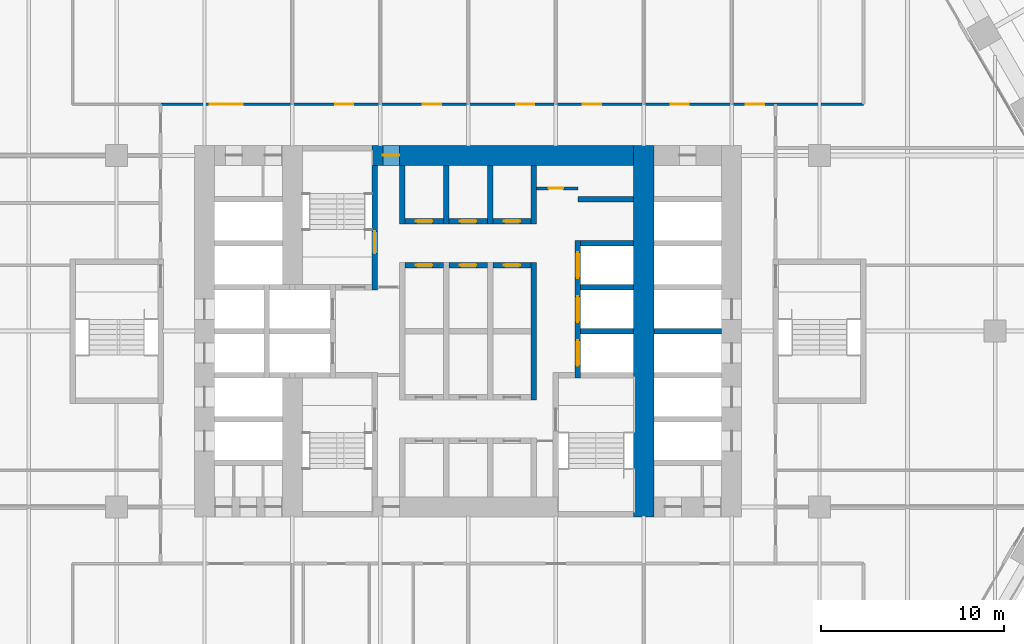
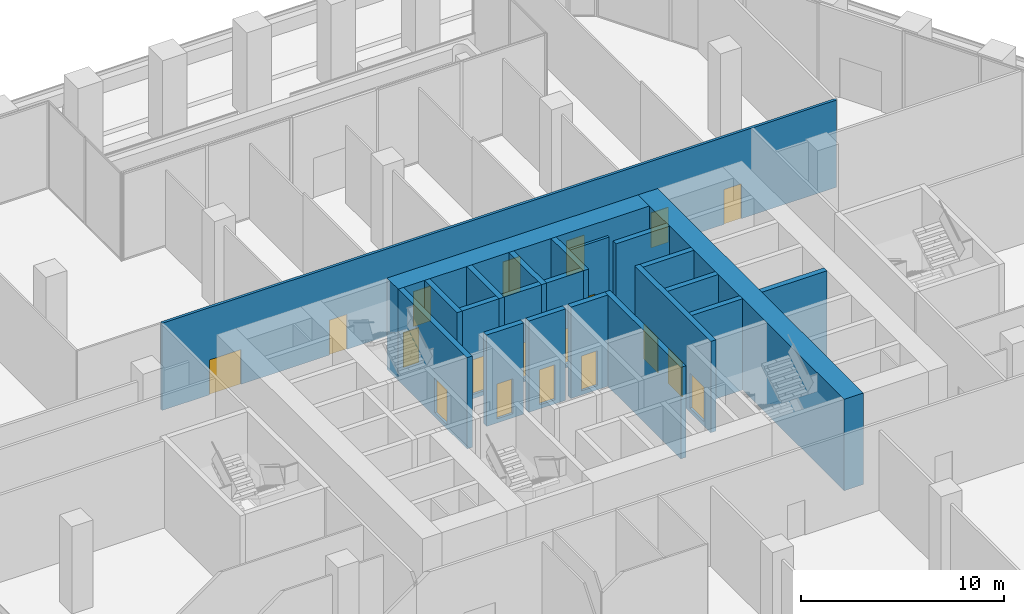
# One storey, part 22 of 30: 22 walls, 19 doors, 19 openings.
"""IFC4 building model written with IfcOpenShell, lengths in metres."""

import ifcopenshell
import ifcopenshell.guid

model = None  # the IFC model being written
_history = None  # IfcOwnerHistory: only IFC2X3 demands one
_inside = {}  # id of a spatial element -> (the spatial element, [elements in it])
_under = {}  # id of a project, library or spatial element -> (it, [spatial elements below it])
_declared = {}  # id of a project -> (the project, [libraries it declares])
_typed = {}  # id of a type object -> (the type object, [elements of that type])
_made_of = {}  # id of a material, layer set ... -> (it, [elements and type objects made of it])


def new_model(schema):
    """Start an empty IFC model of exactly this schema.

    Asked for "IFC4X3", IfcOpenShell would pick the latest addendum, in which some entities
    have other attributes; the version numbers below select the first issue.
    IFC2X3 requires an IfcOwnerHistory on every rooted entity: one is made here for all.
    """
    global model, _history
    if schema == "IFC4X3":
        model = ifcopenshell.file(schema_version=(4, 3, 0, 0))
    else:
        model = ifcopenshell.file(schema=schema)
    _inside.clear()
    _under.clear()
    _declared.clear()
    _typed.clear()
    _made_of.clear()
    _history = None
    if model.schema == "IFC2X3":
        org = make("IfcOrganization", Name="unknown")
        user = make(
            "IfcPersonAndOrganization",
            ThePerson=make("IfcPerson", FamilyName="unknown"),
            TheOrganization=org,
        )
        app = make(
            "IfcApplication",
            ApplicationDeveloper=org,
            Version="unknown",
            ApplicationFullName="unknown",
            ApplicationIdentifier="unknown",
        )
        _history = make(
            "IfcOwnerHistory",
            OwningUser=user,
            OwningApplication=app,
            ChangeAction="ADDED",
            CreationDate=0,
        )
    return model


def make(cls, **values):
    """One entity of the class cls with the attributes given. An attribute that is None is left unset."""
    return model.create_entity(
        cls, **{name: value for name, value in values.items() if value is not None}
    )


def rooted(cls, **values):
    """An entity with a GlobalId (a new one), such as an element, a storey or a relation."""
    return make(cls, GlobalId=ifcopenshell.guid.new(), OwnerHistory=_history, **values)


def si_unit(unit_type, name, prefix=None):
    """IfcSIUnit, for example si_unit("LENGTHUNIT", "METRE", prefix="MILLI")."""
    return make("IfcSIUnit", UnitType=unit_type, Prefix=prefix, Name=name)


def assignment(units):
    """IfcUnitAssignment: the units of a project."""
    return None if units is None else make("IfcUnitAssignment", Units=units)


def point(xyz):
    """IfcCartesianPoint."""
    return None if xyz is None else make("IfcCartesianPoint", Coordinates=xyz)


def direction(xyz):
    """IfcDirection."""
    return None if xyz is None else make("IfcDirection", DirectionRatios=xyz)


def frame(location, z_axis=None, x_axis=None):
    """IfcAxis2Placement3D, a coordinate frame: its origin and axes. An axis left out is left unset."""
    return make(
        "IfcAxis2Placement3D",
        Location=point(location),
        Axis=direction(z_axis),
        RefDirection=direction(x_axis),
    )


def frame_2d(location, x_axis=None):
    """IfcAxis2Placement2D, a coordinate frame in the plane: its origin and x axis."""
    return make(
        "IfcAxis2Placement2D", Location=point(location), RefDirection=direction(x_axis)
    )


def origin():
    """The frame at (0, 0, 0) with its axes left unset."""
    return frame((0.0, 0.0, 0.0))


def place(relative_to, where):
    """IfcLocalPlacement: puts the frame where relative to a parent placement (None: the world)."""
    return make(
        "IfcLocalPlacement", PlacementRelTo=relative_to, RelativePlacement=where
    )


def context(
    kind, dimensions, precision=None, world=None, true_north=None, identifier=None
):
    """IfcGeometricRepresentationContext, for example the 3D "Model" context."""
    return make(
        "IfcGeometricRepresentationContext",
        ContextIdentifier=identifier,
        ContextType=kind,
        CoordinateSpaceDimension=dimensions,
        Precision=precision,
        WorldCoordinateSystem=world,
        TrueNorth=true_north,
    )


def subcontext(parent, identifier, kind, view, scale=None):
    """IfcGeometricRepresentationSubContext, for example "Body" below "Model"."""
    return make(
        "IfcGeometricRepresentationSubContext",
        ContextIdentifier=identifier,
        ContextType=kind,
        ParentContext=parent,
        TargetScale=scale,
        TargetView=view,
    )


def project(units=None, contexts=None):
    """IfcProject with its units and contexts."""
    return rooted(
        "IfcProject",
        Name="project",
        RepresentationContexts=contexts,
        UnitsInContext=assignment(units),
    )


def spatial(cls, under=None, at=None, **own):
    """A site, building, storey or space (cls), placed at a placement, below another one or the project."""
    s = rooted(cls, ObjectPlacement=at, **own)
    if under is not None:
        _under.setdefault(under.id(), (under, []))[1].append(s)
    return s


def profile(cls, at=None, kind="AREA", **sizes):
    """A parametric profile (cls). Its sizes go by their IFC names, for example OverallWidth=200.0."""
    return make(cls, ProfileType=kind, Position=at, **sizes)


def rectangle(**sizes):
    """IfcRectangleProfileDef."""
    return profile("IfcRectangleProfileDef", **sizes)


def extrude(swept, where, along, depth):
    """IfcExtrudedAreaSolid: the profile swept, set in the frame where, extruded along a direction by depth."""
    return make(
        "IfcExtrudedAreaSolid",
        SweptArea=swept,
        Position=where,
        ExtrudedDirection=direction(along),
        Depth=depth,
    )


def shape(context_of_items, identifier, shape_type, items):
    """IfcShapeRepresentation: the items that make up one representation, for example the "Body"."""
    return make(
        "IfcShapeRepresentation",
        ContextOfItems=context_of_items,
        RepresentationIdentifier=identifier,
        RepresentationType=shape_type,
        Items=items,
    )


def material(Name=None, Category=None):
    """IfcMaterial."""
    return make("IfcMaterial", Name=Name, Category=Category)


def layer(
    of_material, thickness, ventilated=None, Name=None, Category=None, Priority=None
):
    """IfcMaterialLayer: one layer of a wall or slab, of a material (None: an air gap)."""
    return make(
        "IfcMaterialLayer",
        Material=of_material,
        LayerThickness=thickness,
        IsVentilated=ventilated,
        Name=Name,
        Category=Category,
        Priority=Priority,
    )


def layer_set(layers, Name=None):
    """IfcMaterialLayerSet."""
    return make("IfcMaterialLayerSet", MaterialLayers=layers, LayerSetName=Name)


def made_of(thing, what):
    """Note that an element or type object is made of a material, layer set ...; save() writes the relation."""
    if what is not None:
        _made_of.setdefault(what.id(), (what, []))[1].append(thing)
    return thing


def type_object(cls, material=None, **own):
    """A type object (cls), such as IfcWallType, which elements share."""
    return made_of(rooted(cls, **own), material)


def element(
    cls,
    number,
    at=None,
    inside=None,
    cuts=None,
    type_object=None,
    material=None,
    context=None,
    identifier="Body",
    shape_type=None,
    held_by="IfcProductDefinitionShape",
    body=None,
    shapes=None,
    **own,
):
    """One element of the class cls, such as IfcWall. Its Tag is "e" and its number.

    at: its placement. inside: the storey or other place that contains it. cuts: it is an
    opening in that element (IfcRelVoidsElement). A single representation is given by context,
    identifier, shape_type and body (its items); several are given by shapes. held_by: the class
    of the entity that holds the representations. save() writes the other relations.
    """
    e = rooted(cls, Tag="e%d" % number, ObjectPlacement=at, **own)
    if body is not None:
        shapes = [shape(context, identifier, shape_type, body)]
    if shapes is not None:
        e.Representation = make(held_by, Representations=shapes)
    if inside is not None:
        _inside.setdefault(inside.id(), (inside, []))[1].append(e)
    if cuts is not None:
        rooted(
            "IfcRelVoidsElement", RelatingBuildingElement=cuts, RelatedOpeningElement=e
        )
    if type_object is not None:
        _typed.setdefault(type_object.id(), (type_object, []))[1].append(e)
    return made_of(e, material)


def fill(opening, filler):
    """IfcRelFillsElement: the door or window that sits in an opening."""
    return rooted(
        "IfcRelFillsElement",
        RelatingOpeningElement=opening,
        RelatedBuildingElement=filler,
    )


def aggregate(whole, parts):
    """IfcRelAggregates: a whole, such as a stair, and the parts it consists of."""
    return rooted("IfcRelAggregates", RelatingObject=whole, RelatedObjects=parts)


def save(model, path):
    """Write the relations noted so far, then the file.

    IfcRelAggregates (storeys below a building ...), IfcRelContainedInSpatialStructure (elements
    in a storey), IfcRelDefinesByType, IfcRelAssociatesMaterial and IfcRelDeclares: one each for
    every whole, place, type object, material and project.
    """
    for whole, parts in _under.values():
        aggregate(whole, parts)
    for where, things in _inside.values():
        rooted(
            "IfcRelContainedInSpatialStructure",
            RelatedElements=things,
            RelatingStructure=where,
        )
    for kind, things in _typed.values():
        rooted("IfcRelDefinesByType", RelatedObjects=things, RelatingType=kind)
    for what, things in _made_of.values():
        rooted("IfcRelAssociatesMaterial", RelatedObjects=things, RelatingMaterial=what)
    for by, libraries in _declared.values():
        rooted("IfcRelDeclares", RelatingContext=by, RelatedDefinitions=libraries)
    model.write(path)


model = new_model("IFC4")

# Units and contexts
model_context = context("Model", 3, precision=1e-05, world=origin(), true_north=direction((0.0, 1.0)))
body_context = subcontext(model_context, "Body", "Model", "MODEL_VIEW")
ifc_project = project(units=[si_unit("LENGTHUNIT", "METRE"), si_unit("AREAUNIT", "SQUARE_METRE"), si_unit("VOLUMEUNIT", "CUBIC_METRE"), si_unit("PLANEANGLEUNIT", "RADIAN"), si_unit("MASSUNIT", "GRAM", prefix="KILO")], contexts=[model_context])

# Site, building, storey
site_placement = place(None, origin())
site = spatial("IfcSite", under=ifc_project, at=site_placement, CompositionType="ELEMENT")
building_placement = place(site_placement, origin())
building = spatial("IfcBuilding", under=site, at=building_placement, Name="Kolab Exchange Tower", CompositionType="ELEMENT")
storey_placement = place(building_placement, frame((0.0, 0.0, 38.89990234375)))
storey = spatial("IfcBuildingStorey", under=building, at=storey_placement, Name="L07", CompositionType="ELEMENT", Elevation=38.89990234375)

# Wall, opening, door
ifc_material_1 = material(Name="Concrete C80/95", Category="concrete")
ifc_layer_1 = layer(ifc_material_1, 1.10009765625)
ifc_layer_set_1 = layer_set([ifc_layer_1], Name="Concrete C80/95")
wall_type_1 = type_object("IfcWallType", Name="CORE WALL 1100 C80/95", PredefinedType="SHEAR", material=ifc_layer_set_1)
wall_1_placement = place(storey_placement, frame((-5.25, 9.60009765625, -0.25), z_axis=(0.0, 0.0, 1.0), x_axis=(1.0, 0.0, 0.0)))
wall_1 = element("IfcWall", 1, at=wall_1_placement, inside=storey, type_object=wall_type_1, Name="wall/L07/core/052", PredefinedType="SHEAR", context=body_context, shape_type="SweptSolid", body=[
    extrude(rectangle(XDim=14.300048828125, YDim=1.10009765625, at=frame_2d((7.14990234375, 0.0))), origin(), (0.0, 0.0, 1.0), 5.5),
])
opening_1_placement = place(wall_1_placement, frame((0.60009765625, 0.0, 0.25)))
opening_1 = element("IfcOpeningElement", 2, at=opening_1_placement, cuts=wall_1, Name="Opening D6-107", PredefinedType="OPENING", context=body_context, shape_type="SweptSolid", body=[
    extrude(rectangle(XDim=0.89990234375, YDim=2.10009765625, at=frame_2d((0.449951171875, 1.050048828125))), frame((0.0, 0.56005859375, 0.0), z_axis=(0.0, -1.0, 0.0), x_axis=(1.0, 0.0, 0.0)), (0.0, 0.0, 1.0), 1.1201171875),
])
ifc_material_2 = material(Name="Steel S235", Category="steel")
door_type_1 = type_object("IfcDoorType", Name="CORE DOOR 900 EI 120", OperationType="SINGLE_SWING_LEFT", PredefinedType="DOOR", material=ifc_material_2)
door_1_placement = place(opening_1_placement, frame((0.89990234375, 0.0, 0.0), z_axis=(0.0, 0.0, 1.0), x_axis=(-1.0, 0.0, 0.0)))
door_1 = element("IfcDoor", 3, at=door_1_placement, inside=storey, type_object=door_type_1, Name="Core lobby door", OperationType="SINGLE_SWING_RIGHT", OverallHeight=2.10009765625, OverallWidth=0.89990234375, PredefinedType="DOOR", context=body_context, shape_type="SweptSolid", body=[
    extrude(rectangle(XDim=0.89990234375, YDim=2.10009765625, at=frame_2d((0.449951171875, 1.050048828125))), frame((0.0, 0.02490234375, 0.0), z_axis=(0.0, -1.0, 0.0), x_axis=(1.0, 0.0, 0.0)), (0.0, 0.0, 1.0), 0.050048828125),
])
fill(opening_1, door_1)

# Walls
wall_2_placement = place(storey_placement, frame((9.60009765625, -10.14990234375, -0.25), z_axis=(0.0, 0.0, 1.0), x_axis=(0.0, 1.0, 0.0)))
element("IfcWall", 4, at=wall_2_placement, inside=storey, type_object=wall_type_1, Name="wall/L07/core/080", PredefinedType="SHEAR", context=body_context, shape_type="SweptSolid", body=[
    extrude(rectangle(XDim=20.2998046875, YDim=1.10009765625, at=frame_2d((10.14990234375, 0.0))), origin(), (0.0, 0.0, 1.0), 5.5),
])
ifc_material_3 = material(Name="Concrete C50/60", Category="concrete")
ifc_layer_2 = layer(ifc_material_3, 0.300048828125)
ifc_layer_set_2 = layer_set([ifc_layer_2], Name="Concrete C50/60")
wall_type_2 = type_object("IfcWallType", Name="LIFT SHAFT WALL 300 C50/60", PredefinedType="STANDARD", material=ifc_layer_set_2)
wall_3_placement = place(storey_placement, frame((6.14990234375, 0.0, -0.25), z_axis=(0.0, 0.0, 1.0), x_axis=(1.0, 0.0, 0.0)))
element("IfcWall", 5, at=wall_3_placement, inside=storey, type_object=wall_type_2, Name="wall/L07/core/029", PredefinedType="STANDARD", context=body_context, shape_type="SweptSolid", body=[
    extrude(rectangle(XDim=2.900146484375, YDim=0.300048828125, at=frame_2d((1.4501953125, 0.0))), origin(), (0.0, 0.0, 1.0), 5.5),
])
wall_4_placement = place(storey_placement, frame((10.14990234375, 0.0, -0.25), z_axis=(0.0, 0.0, 1.0), x_axis=(1.0, 0.0, 0.0)))
element("IfcWall", 6, at=wall_4_placement, inside=storey, type_object=wall_type_2, Name="wall/L07/core/030", PredefinedType="STANDARD", context=body_context, shape_type="SweptSolid", body=[
    extrude(rectangle(XDim=3.7001953125, YDim=0.300048828125, at=frame_2d((1.85009765625, 0.0))), origin(), (0.0, 0.0, 1.0), 5.5),
])
wall_5_placement = place(storey_placement, frame((6.14990234375, 2.39990234375, -0.25), z_axis=(0.0, 0.0, 1.0), x_axis=(1.0, 0.0, 0.0)))
element("IfcWall", 7, at=wall_5_placement, inside=storey, type_object=wall_type_2, Name="wall/L07/core/035", PredefinedType="STANDARD", context=body_context, shape_type="SweptSolid", body=[
    extrude(rectangle(XDim=2.900146484375, YDim=0.300048828125, at=frame_2d((1.4501953125, 0.0))), origin(), (0.0, 0.0, 1.0), 5.5),
])

# Wall, opening, door
wall_6_placement = place(storey_placement, frame((-3.449951171875, 3.60009765625, -0.25), z_axis=(0.0, 0.0, 1.0), x_axis=(1.0, 0.0, 0.0)))
wall_6 = element("IfcWall", 8, at=wall_6_placement, inside=storey, type_object=wall_type_2, Name="wall/L07/core/037", PredefinedType="STANDARD", context=body_context, shape_type="SweptSolid", body=[
    extrude(rectangle(XDim=2.099853515625, YDim=0.300048828125, at=frame_2d((1.0498046875, 0.0))), origin(), (0.0, 0.0, 1.0), 5.5),
])
opening_2_placement = place(wall_6_placement, frame((0.60009765625, 0.0, 0.25)))
opening_2 = element("IfcOpeningElement", 9, at=opening_2_placement, cuts=wall_6, Name="Opening D6-089", PredefinedType="OPENING", context=body_context, shape_type="SweptSolid", body=[
    extrude(rectangle(XDim=0.89990234375, YDim=2.10009765625, at=frame_2d((0.449951171875, 1.050048828125))), frame((0.0, 0.16015625, 0.0), z_axis=(0.0, -1.0, 0.0), x_axis=(1.0, 0.0, 0.0)), (0.0, 0.0, 1.0), 0.320068359375),
])
door_2_placement = place(opening_2_placement, frame((0.89990234375, 0.0, 0.0), z_axis=(0.0, 0.0, 1.0), x_axis=(-1.0, 0.0, 0.0)))
door_2 = element("IfcDoor", 10, at=door_2_placement, inside=storey, type_object=door_type_1, Name="Service room door", OperationType="SINGLE_SWING_LEFT", OverallHeight=2.10009765625, OverallWidth=0.89990234375, PredefinedType="DOOR", context=body_context, shape_type="SweptSolid", body=[
    extrude(rectangle(XDim=0.89990234375, YDim=2.10009765625, at=frame_2d((0.449951171875, 1.050048828125))), frame((0.0, 0.02490234375, 0.0), z_axis=(0.0, -1.0, 0.0), x_axis=(1.0, 0.0, 0.0)), (0.0, 0.0, 1.0), 0.050048828125),
])
fill(opening_2, door_2)

wall_7_placement = place(storey_placement, frame((-1.050048828125, 3.60009765625, -0.25), z_axis=(0.0, 0.0, 1.0), x_axis=(1.0, 0.0, 0.0)))
wall_7 = element("IfcWall", 11, at=wall_7_placement, inside=storey, type_object=wall_type_2, Name="wall/L07/core/038", PredefinedType="STANDARD", context=body_context, shape_type="SweptSolid", body=[
    extrude(rectangle(XDim=2.10009765625, YDim=0.300048828125, at=frame_2d((1.050048828125, 0.0))), origin(), (0.0, 0.0, 1.0), 5.5),
])
opening_3_placement = place(wall_7_placement, frame((0.60009765625, 0.0, 0.25)))
opening_3 = element("IfcOpeningElement", 12, at=opening_3_placement, cuts=wall_7, Name="Opening D6-088", PredefinedType="OPENING", context=body_context, shape_type="SweptSolid", body=[
    extrude(rectangle(XDim=0.89990234375, YDim=2.10009765625, at=frame_2d((0.449951171875, 1.050048828125))), frame((0.0, 0.16015625, 0.0), z_axis=(0.0, -1.0, 0.0), x_axis=(1.0, 0.0, 0.0)), (0.0, 0.0, 1.0), 0.320068359375),
])
door_3_placement = place(opening_3_placement, frame((0.89990234375, 0.0, 0.0), z_axis=(0.0, 0.0, 1.0), x_axis=(-1.0, 0.0, 0.0)))
door_3 = element("IfcDoor", 13, at=door_3_placement, inside=storey, type_object=door_type_1, Name="Service room door", OperationType="SINGLE_SWING_LEFT", OverallHeight=2.10009765625, OverallWidth=0.89990234375, PredefinedType="DOOR", context=body_context, shape_type="SweptSolid", body=[
    extrude(rectangle(XDim=0.89990234375, YDim=2.10009765625, at=frame_2d((0.449951171875, 1.050048828125))), frame((0.0, 0.02490234375, 0.0), z_axis=(0.0, -1.0, 0.0), x_axis=(1.0, 0.0, 0.0)), (0.0, 0.0, 1.0), 0.050048828125),
])
fill(opening_3, door_3)

wall_8_placement = place(storey_placement, frame((1.35009765625, 3.60009765625, -0.25), z_axis=(0.0, 0.0, 1.0), x_axis=(1.0, 0.0, 0.0)))
wall_8 = element("IfcWall", 14, at=wall_8_placement, inside=storey, type_object=wall_type_2, Name="wall/L07/core/039", PredefinedType="STANDARD", context=body_context, shape_type="SweptSolid", body=[
    extrude(rectangle(XDim=2.099853515625, YDim=0.300048828125, at=frame_2d((1.0498046875, 0.0))), origin(), (0.0, 0.0, 1.0), 5.5),
])
opening_4_placement = place(wall_8_placement, frame((0.60009765625, 0.0, 0.25)))
opening_4 = element("IfcOpeningElement", 15, at=opening_4_placement, cuts=wall_8, Name="Opening D6-087", PredefinedType="OPENING", context=body_context, shape_type="SweptSolid", body=[
    extrude(rectangle(XDim=0.89990234375, YDim=2.10009765625, at=frame_2d((0.449951171875, 1.050048828125))), frame((0.0, 0.16015625, 0.0), z_axis=(0.0, -1.0, 0.0), x_axis=(1.0, 0.0, 0.0)), (0.0, 0.0, 1.0), 0.320068359375),
])
door_4_placement = place(opening_4_placement, frame((0.89990234375, 0.0, 0.0), z_axis=(0.0, 0.0, 1.0), x_axis=(-1.0, 0.0, 0.0)))
door_4 = element("IfcDoor", 16, at=door_4_placement, inside=storey, type_object=door_type_1, Name="Service room door", OperationType="SINGLE_SWING_RIGHT", OverallHeight=2.10009765625, OverallWidth=0.89990234375, PredefinedType="DOOR", context=body_context, shape_type="SweptSolid", body=[
    extrude(rectangle(XDim=0.89990234375, YDim=2.10009765625, at=frame_2d((0.449951171875, 1.050048828125))), frame((0.0, 0.02490234375, 0.0), z_axis=(0.0, -1.0, 0.0), x_axis=(1.0, 0.0, 0.0)), (0.0, 0.0, 1.0), 0.050048828125),
])
fill(opening_4, door_4)

# Wall
wall_9_placement = place(storey_placement, frame((6.14990234375, 4.800048828125, -0.25), z_axis=(0.0, 0.0, 1.0), x_axis=(1.0, 0.0, 0.0)))
element("IfcWall", 17, at=wall_9_placement, inside=storey, type_object=wall_type_2, Name="wall/L07/core/043", PredefinedType="STANDARD", context=body_context, shape_type="SweptSolid", body=[
    extrude(rectangle(XDim=2.900146484375, YDim=0.300048828125, at=frame_2d((1.4501953125, 0.0))), origin(), (0.0, 0.0, 1.0), 5.5),
])

# Wall, opening, door
wall_10_placement = place(storey_placement, frame((-3.449951171875, 6.0, -0.25), z_axis=(0.0, 0.0, 1.0), x_axis=(1.0, 0.0, 0.0)))
wall_10 = element("IfcWall", 18, at=wall_10_placement, inside=storey, type_object=wall_type_2, Name="wall/L07/core/045", PredefinedType="STANDARD", context=body_context, shape_type="SweptSolid", body=[
    extrude(rectangle(XDim=2.099853515625, YDim=0.300048828125, at=frame_2d((1.0498046875, 0.0))), origin(), (0.0, 0.0, 1.0), 5.5),
])
opening_5_placement = place(wall_10_placement, frame((0.60009765625, 0.0, 0.25)))
opening_5 = element("IfcOpeningElement", 19, at=opening_5_placement, cuts=wall_10, Name="Opening D6-086", PredefinedType="OPENING", context=body_context, shape_type="SweptSolid", body=[
    extrude(rectangle(XDim=0.89990234375, YDim=2.10009765625, at=frame_2d((0.449951171875, 1.050048828125))), frame((0.0, 0.16015625, 0.0), z_axis=(0.0, -1.0, 0.0), x_axis=(1.0, 0.0, 0.0)), (0.0, 0.0, 1.0), 0.320068359375),
])
door_5_placement = place(opening_5_placement, origin())
door_5 = element("IfcDoor", 20, at=door_5_placement, inside=storey, type_object=door_type_1, Name="Service room door", OperationType="SINGLE_SWING_LEFT", OverallHeight=2.10009765625, OverallWidth=0.89990234375, PredefinedType="DOOR", context=body_context, shape_type="SweptSolid", body=[
    extrude(rectangle(XDim=0.89990234375, YDim=2.10009765625, at=frame_2d((0.449951171875, 1.050048828125))), frame((0.0, 0.02490234375, 0.0), z_axis=(0.0, -1.0, 0.0), x_axis=(1.0, 0.0, 0.0)), (0.0, 0.0, 1.0), 0.050048828125),
])
fill(opening_5, door_5)

wall_11_placement = place(storey_placement, frame((-1.050048828125, 6.0, -0.25), z_axis=(0.0, 0.0, 1.0), x_axis=(1.0, 0.0, 0.0)))
wall_11 = element("IfcWall", 21, at=wall_11_placement, inside=storey, type_object=wall_type_2, Name="wall/L07/core/046", PredefinedType="STANDARD", context=body_context, shape_type="SweptSolid", body=[
    extrude(rectangle(XDim=2.10009765625, YDim=0.300048828125, at=frame_2d((1.050048828125, 0.0))), origin(), (0.0, 0.0, 1.0), 5.5),
])
opening_6_placement = place(wall_11_placement, frame((0.60009765625, 0.0, 0.25)))
opening_6 = element("IfcOpeningElement", 22, at=opening_6_placement, cuts=wall_11, Name="Opening D6-105", PredefinedType="OPENING", context=body_context, shape_type="SweptSolid", body=[
    extrude(rectangle(XDim=0.89990234375, YDim=2.10009765625, at=frame_2d((0.449951171875, 1.050048828125))), frame((0.0, 0.16015625, 0.0), z_axis=(0.0, -1.0, 0.0), x_axis=(1.0, 0.0, 0.0)), (0.0, 0.0, 1.0), 0.320068359375),
])
door_6_placement = place(opening_6_placement, origin())
door_6 = element("IfcDoor", 23, at=door_6_placement, inside=storey, type_object=door_type_1, Name="Service room door", OperationType="SINGLE_SWING_LEFT", OverallHeight=2.10009765625, OverallWidth=0.89990234375, PredefinedType="DOOR", context=body_context, shape_type="SweptSolid", body=[
    extrude(rectangle(XDim=0.89990234375, YDim=2.10009765625, at=frame_2d((0.449951171875, 1.050048828125))), frame((0.0, 0.02490234375, 0.0), z_axis=(0.0, -1.0, 0.0), x_axis=(1.0, 0.0, 0.0)), (0.0, 0.0, 1.0), 0.050048828125),
])
fill(opening_6, door_6)

wall_12_placement = place(storey_placement, frame((1.35009765625, 6.0, -0.25), z_axis=(0.0, 0.0, 1.0), x_axis=(1.0, 0.0, 0.0)))
wall_12 = element("IfcWall", 24, at=wall_12_placement, inside=storey, type_object=wall_type_2, Name="wall/L07/core/047", PredefinedType="STANDARD", context=body_context, shape_type="SweptSolid", body=[
    extrude(rectangle(XDim=2.099853515625, YDim=0.300048828125, at=frame_2d((1.0498046875, 0.0))), origin(), (0.0, 0.0, 1.0), 5.5),
])
opening_7_placement = place(wall_12_placement, frame((0.60009765625, 0.0, 0.25)))
opening_7 = element("IfcOpeningElement", 25, at=opening_7_placement, cuts=wall_12, Name="Opening D6-084", PredefinedType="OPENING", context=body_context, shape_type="SweptSolid", body=[
    extrude(rectangle(XDim=0.89990234375, YDim=2.10009765625, at=frame_2d((0.449951171875, 1.050048828125))), frame((0.0, 0.16015625, 0.0), z_axis=(0.0, -1.0, 0.0), x_axis=(1.0, 0.0, 0.0)), (0.0, 0.0, 1.0), 0.320068359375),
])
door_7_placement = place(opening_7_placement, origin())
door_7 = element("IfcDoor", 26, at=door_7_placement, inside=storey, type_object=door_type_1, Name="Service room door", OperationType="SINGLE_SWING_RIGHT", OverallHeight=2.10009765625, OverallWidth=0.89990234375, PredefinedType="DOOR", context=body_context, shape_type="SweptSolid", body=[
    extrude(rectangle(XDim=0.89990234375, YDim=2.10009765625, at=frame_2d((0.449951171875, 1.050048828125))), frame((0.0, 0.02490234375, 0.0), z_axis=(0.0, -1.0, 0.0), x_axis=(1.0, 0.0, 0.0)), (0.0, 0.0, 1.0), 0.050048828125),
])
fill(opening_7, door_7)

# Walls
wall_13_placement = place(storey_placement, frame((6.0, 7.199951171875, -0.25), z_axis=(0.0, 0.0, 1.0), x_axis=(1.0, 0.0, 0.0)))
element("IfcWall", 27, at=wall_13_placement, inside=storey, type_object=wall_type_2, Name="wall/L07/core/049", PredefinedType="STANDARD", context=body_context, shape_type="SweptSolid", body=[
    extrude(rectangle(XDim=3.050048828125, YDim=0.300048828125, at=frame_2d((1.52490234375, 0.0))), origin(), (0.0, 0.0, 1.0), 5.5),
])
for number, where, z_axis, x_axis, name in (
    (28, (-3.60009765625, 5.85009765625, -0.25), (0.0, 0.0, 1.0), (0.0, 1.0, 0.0), "wall/L07/core/068"),
    (29, (-1.199951171875, 5.85009765625, -0.25), (0.0, 0.0, 1.0), (0.0, 1.0, 0.0), "wall/L07/core/071"),
    (30, (1.199951171875, 5.85009765625, -0.25), (0.0, 0.0, 1.0), (0.0, 1.0, 0.0), "wall/L07/core/074"),
):
    element("IfcWall", number, at=place(storey_placement, frame(where, z_axis=z_axis, x_axis=x_axis)), inside=storey, type_object=wall_type_2, Name=name, PredefinedType="STANDARD", context=body_context, shape_type="SweptSolid", body=[
        extrude(rectangle(XDim=3.199951171875, YDim=0.300048828125, at=frame_2d((1.60009765625, 0.0))), origin(), (0.0, 0.0, 1.0), 5.5),
    ])
wall_14_placement = place(storey_placement, frame((3.60009765625, -3.75, -0.25), z_axis=(0.0, 0.0, 1.0), x_axis=(0.0, 1.0, 0.0)))
element("IfcWall", 31, at=wall_14_placement, inside=storey, type_object=wall_type_2, Name="wall/L07/core/076", PredefinedType="STANDARD", context=body_context, shape_type="SweptSolid", body=[
    extrude(rectangle(XDim=7.5, YDim=0.300048828125, at=frame_2d((3.75, 0.0))), origin(), (0.0, 0.0, 1.0), 5.5),
])
wall_15_placement = place(storey_placement, frame((3.60009765625, 5.85009765625, -0.25), z_axis=(0.0, 0.0, 1.0), x_axis=(0.0, 1.0, 0.0)))
element("IfcWall", 32, at=wall_15_placement, inside=storey, type_object=wall_type_2, Name="wall/L07/core/077", PredefinedType="STANDARD", context=body_context, shape_type="SweptSolid", body=[
    extrude(rectangle(XDim=3.199951171875, YDim=0.300048828125, at=frame_2d((1.60009765625, 0.0))), origin(), (0.0, 0.0, 1.0), 5.5),
])

# Wall, openings, doors
wall_16_placement = place(storey_placement, frame((6.0, -2.550048828125, -0.25), z_axis=(0.0, 0.0, 1.0), x_axis=(0.0, 1.0, 0.0)))
wall_16 = element("IfcWall", 33, at=wall_16_placement, inside=storey, type_object=wall_type_2, Name="wall/L07/core/079", PredefinedType="STANDARD", context=body_context, shape_type="SweptSolid", body=[
    extrude(rectangle(XDim=7.5, YDim=0.300048828125, at=frame_2d((3.75, 0.0))), origin(), (0.0, 0.0, 1.0), 5.5),
])
opening_8_placement = place(wall_16_placement, frame((0.64990234375, 0.0, 0.25)))
opening_8 = element("IfcOpeningElement", 34, at=opening_8_placement, cuts=wall_16, Name="Opening LD3-013", PredefinedType="OPENING", context=body_context, shape_type="SweptSolid", body=[
    extrude(rectangle(XDim=1.39990234375, YDim=2.10009765625, at=frame_2d((0.699951171875, 1.050048828125))), frame((0.0, 0.16015625, 0.0), z_axis=(0.0, -1.0, 0.0), x_axis=(1.0, 0.0, 0.0)), (0.0, 0.0, 1.0), 0.320068359375),
])
opening_9_placement = place(wall_16_placement, frame((3.050048828125, 0.0, 0.25)))
opening_9 = element("IfcOpeningElement", 35, at=opening_9_placement, cuts=wall_16, Name="Opening LD3-014", PredefinedType="OPENING", context=body_context, shape_type="SweptSolid", body=[
    extrude(rectangle(XDim=1.39990234375, YDim=2.10009765625, at=frame_2d((0.699951171875, 1.050048828125))), frame((0.0, 0.16015625, 0.0), z_axis=(0.0, -1.0, 0.0), x_axis=(1.0, 0.0, 0.0)), (0.0, 0.0, 1.0), 0.320068359375),
])
opening_10_placement = place(wall_16_placement, frame((5.449951171875, 0.0, 0.25)))
opening_10 = element("IfcOpeningElement", 36, at=opening_10_placement, cuts=wall_16, Name="Opening LD3-015", PredefinedType="OPENING", context=body_context, shape_type="SweptSolid", body=[
    extrude(rectangle(XDim=1.39990234375, YDim=2.10009765625, at=frame_2d((0.699951171875, 1.050048828125))), frame((0.0, 0.16015625, 0.0), z_axis=(0.0, -1.0, 0.0), x_axis=(1.0, 0.0, 0.0)), (0.0, 0.0, 1.0), 0.320068359375),
])
ifc_material_4 = material(Name="Stainless steel 316", Category="steel")
door_type_2 = type_object("IfcDoorType", Name="LANDING DOOR 1400 SERVICE", OperationType="DOUBLE_DOOR_SLIDING", PredefinedType="DOOR", material=ifc_material_4)
door_8_placement = place(opening_8_placement, origin())
door_8 = element("IfcDoor", 37, at=door_8_placement, inside=storey, type_object=door_type_2, Name="Landing door SV1", OperationType="DOUBLE_DOOR_SLIDING", OverallHeight=2.10009765625, OverallWidth=1.39990234375, PredefinedType="DOOR", context=body_context, shape_type="SweptSolid", body=[
    extrude(rectangle(XDim=1.39990234375, YDim=2.10009765625, at=frame_2d((0.699951171875, 1.050048828125))), frame((0.0, 0.02490234375, 0.0), z_axis=(0.0, -1.0, 0.0), x_axis=(1.0, 0.0, 0.0)), (0.0, 0.0, 1.0), 0.050048828125),
])
fill(opening_8, door_8)
door_9_placement = place(opening_9_placement, origin())
door_9 = element("IfcDoor", 38, at=door_9_placement, inside=storey, type_object=door_type_2, Name="Landing door SV2", OperationType="DOUBLE_DOOR_SLIDING", OverallHeight=2.10009765625, OverallWidth=1.39990234375, PredefinedType="DOOR", context=body_context, shape_type="SweptSolid", body=[
    extrude(rectangle(XDim=1.39990234375, YDim=2.10009765625, at=frame_2d((0.699951171875, 1.050048828125))), frame((0.0, 0.02490234375, 0.0), z_axis=(0.0, -1.0, 0.0), x_axis=(1.0, 0.0, 0.0)), (0.0, 0.0, 1.0), 0.050048828125),
])
fill(opening_9, door_9)
door_10_placement = place(opening_10_placement, origin())
door_10 = element("IfcDoor", 39, at=door_10_placement, inside=storey, type_object=door_type_2, Name="Landing door SV3", OperationType="DOUBLE_DOOR_SLIDING", OverallHeight=2.10009765625, OverallWidth=1.39990234375, PredefinedType="DOOR", context=body_context, shape_type="SweptSolid", body=[
    extrude(rectangle(XDim=1.39990234375, YDim=2.10009765625, at=frame_2d((0.699951171875, 1.050048828125))), frame((0.0, 0.02490234375, 0.0), z_axis=(0.0, -1.0, 0.0), x_axis=(1.0, 0.0, 0.0)), (0.0, 0.0, 1.0), 0.050048828125),
])
fill(opening_10, door_10)

# Wall, opening, door
ifc_material_5 = material(Name="Gypsum board", Category="gypsum")
ifc_layer_3 = layer(ifc_material_5, 0.14990234375)
ifc_layer_set_3 = layer_set([ifc_layer_3], Name="Gypsum board")
wall_type_3 = type_object("IfcWallType", Name="PARTITION 150 FIRE-RATED", PredefinedType="PARTITIONING", material=ifc_layer_set_3)
wall_17_placement = place(storey_placement, frame((3.75, 7.800048828125, 0.0), z_axis=(0.0, 0.0, 1.0), x_axis=(1.0, 0.0, 0.0)))
wall_17 = element("IfcWall", 40, at=wall_17_placement, inside=storey, type_object=wall_type_3, Name="Partition 043", PredefinedType="PARTITIONING", context=body_context, shape_type="SweptSolid", body=[
    extrude(rectangle(XDim=2.25, YDim=0.14990234375, at=frame_2d((1.125, 0.0))), origin(), (0.0, 0.0, 1.0), 5.25),
])
opening_11_placement = place(wall_17_placement, frame((0.64990234375, 0.0, 0.0)))
opening_11 = element("IfcOpeningElement", 41, at=opening_11_placement, cuts=wall_17, Name="Opening D7-009", PredefinedType="OPENING", context=body_context, shape_type="SweptSolid", body=[
    extrude(rectangle(XDim=0.800048828125, YDim=2.10009765625, at=frame_2d((0.39990234375, 1.050048828125))), frame((0.0, 0.0849609375, 0.0), z_axis=(0.0, -1.0, 0.0), x_axis=(1.0, 0.0, 0.0)), (0.0, 0.0, 1.0), 0.169921875),
])
door_type_3 = type_object("IfcDoorType", Name="FLUSH DOOR 800 FD60", OperationType="SINGLE_SWING_LEFT", PredefinedType="DOOR", material=ifc_material_2)
door_11_placement = place(opening_11_placement, origin())
door_11 = element("IfcDoor", 42, at=door_11_placement, inside=storey, type_object=door_type_3, Name="Door L07-041", OperationType="SINGLE_SWING_LEFT", OverallHeight=2.10009765625, OverallWidth=0.800048828125, PredefinedType="DOOR", context=body_context, shape_type="SweptSolid", body=[
    extrude(rectangle(XDim=0.800048828125, YDim=2.10009765625, at=frame_2d((0.39990234375, 1.050048828125))), frame((0.0, 0.02490234375, 0.0), z_axis=(0.0, -1.0, 0.0), x_axis=(1.0, 0.0, 0.0)), (0.0, 0.0, 1.0), 0.050048828125),
])
fill(opening_11, door_11)

# Wall, openings, doors
wall_18_placement = place(storey_placement, frame((-16.800048828125, 12.39990234375, 0.0), z_axis=(0.0, 0.0, 1.0), x_axis=(1.0, 0.0, 0.0)))
wall_18 = element("IfcWall", 43, at=wall_18_placement, inside=storey, type_object=wall_type_3, Name="Partition 049", PredefinedType="PARTITIONING", context=body_context, shape_type="SweptSolid", body=[
    extrude(rectangle(XDim=38.400146484375, YDim=0.14990234375, at=frame_2d((19.2001953125, 0.0))), origin(), (0.0, 0.0, 1.0), 5.25),
])
opening_12_placement = place(wall_18_placement, frame((2.699951171875, 0.0, 0.0)))
opening_12 = element("IfcOpeningElement", 44, at=opening_12_placement, cuts=wall_18, Name="Opening D2-020", PredefinedType="OPENING", context=body_context, shape_type="SweptSolid", body=[
    extrude(rectangle(XDim=1.800048828125, YDim=2.10009765625, at=frame_2d((0.89990234375, 1.050048828125))), frame((0.0, 0.0849609375, 0.0), z_axis=(0.0, -1.0, 0.0), x_axis=(1.0, 0.0, 0.0)), (0.0, 0.0, 1.0), 0.169921875),
])
opening_13_placement = place(wall_18_placement, frame((9.534912109375, 0.0, 0.0)))
opening_13 = element("IfcOpeningElement", 45, at=opening_13_placement, cuts=wall_18, Name="Opening D1-089", PredefinedType="OPENING", context=body_context, shape_type="SweptSolid", body=[
    extrude(rectangle(XDim=1.0, YDim=2.10009765625, at=frame_2d((0.5, 1.050048828125))), frame((0.0, 0.0849609375, 0.0), z_axis=(0.0, -1.0, 0.0), x_axis=(1.0, 0.0, 0.0)), (0.0, 0.0, 1.0), 0.169921875),
])
opening_14_placement = place(wall_18_placement, frame((14.3349609375, 0.0, 0.0)))
opening_14 = element("IfcOpeningElement", 46, at=opening_14_placement, cuts=wall_18, Name="Opening D1-090", PredefinedType="OPENING", context=body_context, shape_type="SweptSolid", body=[
    extrude(rectangle(XDim=1.0, YDim=2.10009765625, at=frame_2d((0.5, 1.050048828125))), frame((0.0, 0.0849609375, 0.0), z_axis=(0.0, -1.0, 0.0), x_axis=(1.0, 0.0, 0.0)), (0.0, 0.0, 1.0), 0.169921875),
])
opening_15_placement = place(wall_18_placement, frame((19.425048828125, 0.0, 0.0)))
opening_15 = element("IfcOpeningElement", 47, at=opening_15_placement, cuts=wall_18, Name="Opening D1-091", PredefinedType="OPENING", context=body_context, shape_type="SweptSolid", body=[
    extrude(rectangle(XDim=1.0, YDim=2.10009765625, at=frame_2d((0.5, 1.050048828125))), frame((0.0, 0.0849609375, 0.0), z_axis=(0.0, -1.0, 0.0), x_axis=(1.0, 0.0, 0.0)), (0.0, 0.0, 1.0), 0.169921875),
])
opening_16_placement = place(wall_18_placement, frame((23.06494140625, 0.0, 0.0)))
opening_16 = element("IfcOpeningElement", 48, at=opening_16_placement, cuts=wall_18, Name="Opening D1-092", PredefinedType="OPENING", context=body_context, shape_type="SweptSolid", body=[
    extrude(rectangle(XDim=1.0, YDim=2.10009765625, at=frame_2d((0.5, 1.050048828125))), frame((0.0, 0.0849609375, 0.0), z_axis=(0.0, -1.0, 0.0), x_axis=(1.0, 0.0, 0.0)), (0.0, 0.0, 1.0), 0.169921875),
])
opening_17_placement = place(wall_18_placement, frame((27.864990234375, 0.0, 0.0)))
opening_17 = element("IfcOpeningElement", 49, at=opening_17_placement, cuts=wall_18, Name="Opening D1-093", PredefinedType="OPENING", context=body_context, shape_type="SweptSolid", body=[
    extrude(rectangle(XDim=1.0, YDim=2.10009765625, at=frame_2d((0.5, 1.050048828125))), frame((0.0, 0.0849609375, 0.0), z_axis=(0.0, -1.0, 0.0), x_axis=(1.0, 0.0, 0.0)), (0.0, 0.0, 1.0), 0.169921875),
])
opening_18_placement = place(wall_18_placement, frame((31.97509765625, 0.0, 0.0)))
opening_18 = element("IfcOpeningElement", 50, at=opening_18_placement, cuts=wall_18, Name="Opening D1-094", PredefinedType="OPENING", context=body_context, shape_type="SweptSolid", body=[
    extrude(rectangle(XDim=1.0, YDim=2.10009765625, at=frame_2d((0.5, 1.050048828125))), frame((0.0, 0.0849609375, 0.0), z_axis=(0.0, -1.0, 0.0), x_axis=(1.0, 0.0, 0.0)), (0.0, 0.0, 1.0), 0.169921875),
])
door_type_4 = type_object("IfcDoorType", Name="DOUBLE DOOR 1800 FD60", OperationType="DOUBLE_DOOR_SINGLE_SWING", PredefinedType="DOOR", material=ifc_material_2)
door_12_placement = place(opening_12_placement, origin())
door_12 = element("IfcDoor", 51, at=door_12_placement, inside=storey, type_object=door_type_4, Name="Door L07-049", OperationType="SINGLE_SWING_RIGHT", OverallHeight=2.10009765625, OverallWidth=1.800048828125, PredefinedType="DOOR", context=body_context, shape_type="SweptSolid", body=[
    extrude(rectangle(XDim=1.800048828125, YDim=2.10009765625, at=frame_2d((0.89990234375, 1.050048828125))), frame((0.0, 0.02490234375, 0.0), z_axis=(0.0, -1.0, 0.0), x_axis=(1.0, 0.0, 0.0)), (0.0, 0.0, 1.0), 0.050048828125),
])
fill(opening_12, door_12)
door_type_5 = type_object("IfcDoorType", Name="FLUSH DOOR 1000 FD60", OperationType="SINGLE_SWING_LEFT", PredefinedType="DOOR", material=ifc_material_2)
door_13_placement = place(opening_13_placement, origin())
door_13 = element("IfcDoor", 52, at=door_13_placement, inside=storey, type_object=door_type_5, Name="Door L07-050", OperationType="SINGLE_SWING_RIGHT", OverallHeight=2.10009765625, OverallWidth=1.0, PredefinedType="DOOR", context=body_context, shape_type="SweptSolid", body=[
    extrude(rectangle(XDim=1.0, YDim=2.10009765625, at=frame_2d((0.5, 1.050048828125))), frame((0.0, 0.02490234375, 0.0), z_axis=(0.0, -1.0, 0.0), x_axis=(1.0, 0.0, 0.0)), (0.0, 0.0, 1.0), 0.050048828125),
])
fill(opening_13, door_13)
door_14_placement = place(opening_14_placement, origin())
door_14 = element("IfcDoor", 53, at=door_14_placement, inside=storey, type_object=door_type_5, Name="Door L07-051", OperationType="SINGLE_SWING_RIGHT", OverallHeight=2.10009765625, OverallWidth=1.0, PredefinedType="DOOR", context=body_context, shape_type="SweptSolid", body=[
    extrude(rectangle(XDim=1.0, YDim=2.10009765625, at=frame_2d((0.5, 1.050048828125))), frame((0.0, 0.02490234375, 0.0), z_axis=(0.0, -1.0, 0.0), x_axis=(1.0, 0.0, 0.0)), (0.0, 0.0, 1.0), 0.050048828125),
])
fill(opening_14, door_14)
door_15_placement = place(opening_15_placement, origin())
door_15 = element("IfcDoor", 54, at=door_15_placement, inside=storey, type_object=door_type_5, Name="Door L07-052", OperationType="SINGLE_SWING_RIGHT", OverallHeight=2.10009765625, OverallWidth=1.0, PredefinedType="DOOR", context=body_context, shape_type="SweptSolid", body=[
    extrude(rectangle(XDim=1.0, YDim=2.10009765625, at=frame_2d((0.5, 1.050048828125))), frame((0.0, 0.02490234375, 0.0), z_axis=(0.0, -1.0, 0.0), x_axis=(1.0, 0.0, 0.0)), (0.0, 0.0, 1.0), 0.050048828125),
])
fill(opening_15, door_15)
door_16_placement = place(opening_16_placement, origin())
door_16 = element("IfcDoor", 55, at=door_16_placement, inside=storey, type_object=door_type_5, Name="Door L07-053", OperationType="SINGLE_SWING_LEFT", OverallHeight=2.10009765625, OverallWidth=1.0, PredefinedType="DOOR", context=body_context, shape_type="SweptSolid", body=[
    extrude(rectangle(XDim=1.0, YDim=2.10009765625, at=frame_2d((0.5, 1.050048828125))), frame((0.0, 0.02490234375, 0.0), z_axis=(0.0, -1.0, 0.0), x_axis=(1.0, 0.0, 0.0)), (0.0, 0.0, 1.0), 0.050048828125),
])
fill(opening_16, door_16)
door_17_placement = place(opening_17_placement, origin())
door_17 = element("IfcDoor", 56, at=door_17_placement, inside=storey, type_object=door_type_5, Name="Door L07-054", OperationType="SINGLE_SWING_LEFT", OverallHeight=2.10009765625, OverallWidth=1.0, PredefinedType="DOOR", context=body_context, shape_type="SweptSolid", body=[
    extrude(rectangle(XDim=1.0, YDim=2.10009765625, at=frame_2d((0.5, 1.050048828125))), frame((0.0, 0.02490234375, 0.0), z_axis=(0.0, -1.0, 0.0), x_axis=(1.0, 0.0, 0.0)), (0.0, 0.0, 1.0), 0.050048828125),
])
fill(opening_17, door_17)
door_18_placement = place(opening_18_placement, origin())
door_18 = element("IfcDoor", 57, at=door_18_placement, inside=storey, type_object=door_type_5, Name="Door L07-055", OperationType="SINGLE_SWING_LEFT", OverallHeight=2.10009765625, OverallWidth=1.0, PredefinedType="DOOR", context=body_context, shape_type="SweptSolid", body=[
    extrude(rectangle(XDim=1.0, YDim=2.10009765625, at=frame_2d((0.5, 1.050048828125))), frame((0.0, 0.02490234375, 0.0), z_axis=(0.0, -1.0, 0.0), x_axis=(1.0, 0.0, 0.0)), (0.0, 0.0, 1.0), 0.050048828125),
])
fill(opening_18, door_18)

# Wall, opening, door
ifc_layer_4 = layer(ifc_material_3, 0.300048828125)
ifc_layer_set_4 = layer_set([ifc_layer_4], Name="Concrete C50/60")
wall_type_4 = type_object("IfcWallType", Name="STAIR ENCLOSURE WALL 300 C50/60", PredefinedType="STANDARD", material=ifc_layer_set_4)
wall_19_placement = place(storey_placement, frame((-5.10009765625, 2.25, -0.25), z_axis=(0.0, 0.0, 1.0), x_axis=(0.0, 1.0, 0.0)))
wall_19 = element("IfcWall", 58, at=wall_19_placement, inside=storey, type_object=wall_type_4, Name="wall/L07/core/065", PredefinedType="STANDARD", context=body_context, shape_type="SweptSolid", body=[
    extrude(rectangle(XDim=6.800048828125, YDim=0.300048828125, at=frame_2d((3.39990234375, 0.0))), origin(), (0.0, 0.0, 1.0), 5.5),
])
opening_19_placement = place(wall_19_placement, frame((2.0, 0.0, 0.25)))
opening_19 = element("IfcOpeningElement", 59, at=opening_19_placement, cuts=wall_19, Name="Opening D4-020", PredefinedType="OPENING", context=body_context, shape_type="SweptSolid", body=[
    extrude(rectangle(XDim=1.199951171875, YDim=2.10009765625, at=frame_2d((0.60009765625, 1.050048828125))), frame((0.0, 0.16015625, 0.0), z_axis=(0.0, -1.0, 0.0), x_axis=(1.0, 0.0, 0.0)), (0.0, 0.0, 1.0), 0.320068359375),
])
door_type_6 = type_object("IfcDoorType", Name="STAIR DOOR 1200 EI 120", OperationType="SINGLE_SWING_LEFT", PredefinedType="DOOR", material=ifc_material_2)
door_19_placement = place(opening_19_placement, origin())
door_19 = element("IfcDoor", 60, at=door_19_placement, inside=storey, type_object=door_type_6, Name="Stair 1 door", OperationType="SINGLE_SWING_LEFT", OverallHeight=2.10009765625, OverallWidth=1.199951171875, PredefinedType="DOOR", context=body_context, shape_type="SweptSolid", body=[
    extrude(rectangle(XDim=1.199951171875, YDim=2.10009765625, at=frame_2d((0.60009765625, 1.050048828125))), frame((0.0, 0.02490234375, 0.0), z_axis=(0.0, -1.0, 0.0), x_axis=(1.0, 0.0, 0.0)), (0.0, 0.0, 1.0), 0.050048828125),
])
fill(opening_19, door_19)

save(model, "model.ifc")
